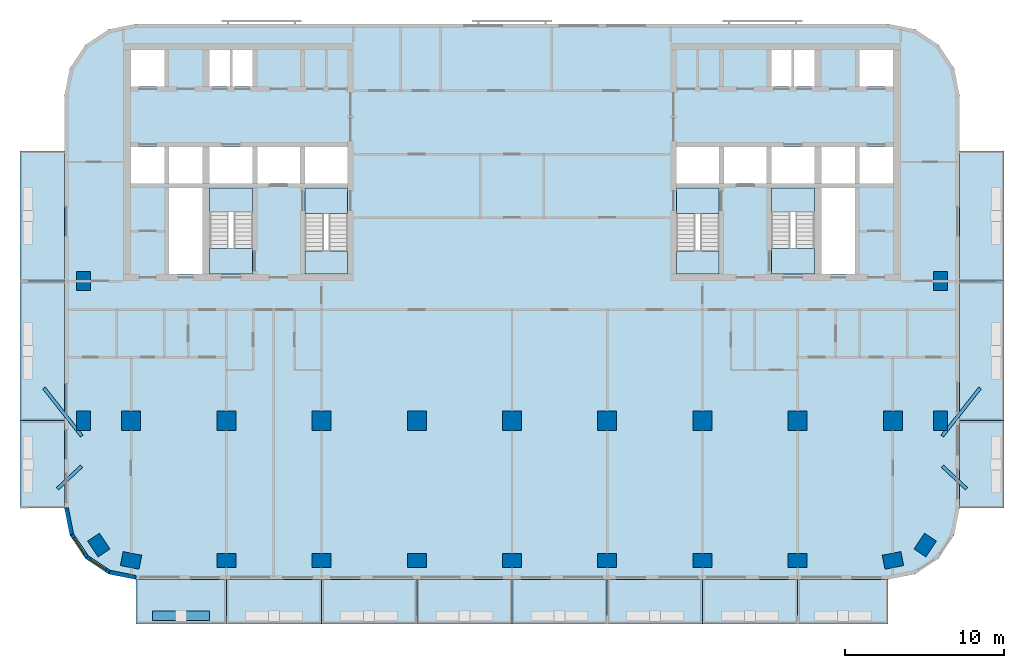
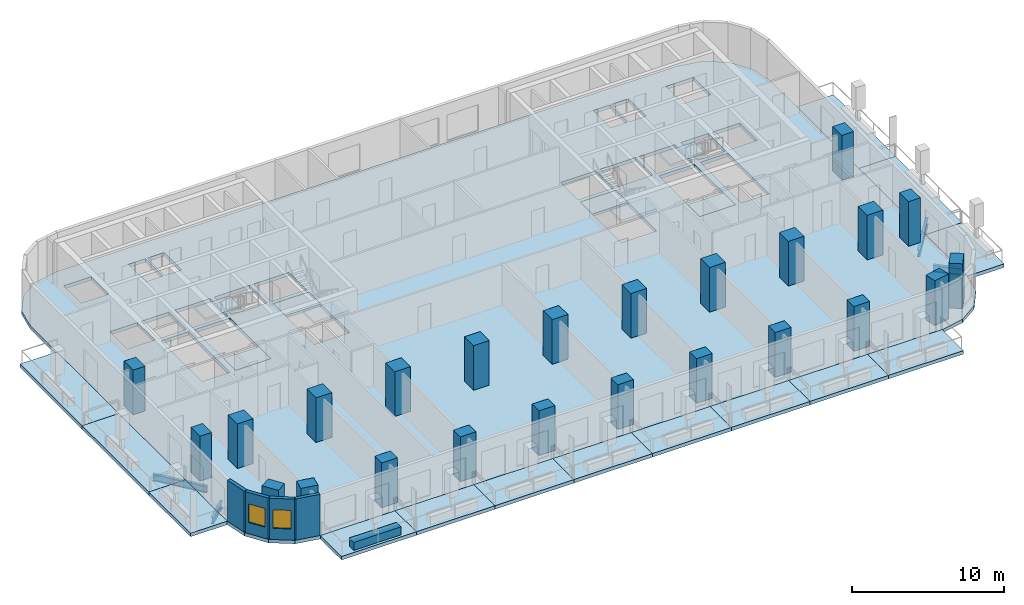
# One storey, part 1 of 12: 24 columns, 23 slabs, 5 walls, 4 beams, 2 windows, 2 openings, 4 elements without a shape of their own.
"""IFC4 building model written with IfcOpenShell, lengths in metres."""

import ifcopenshell
import ifcopenshell.guid

model = None  # the IFC model being written
_history = None  # IfcOwnerHistory: only IFC2X3 demands one
_inside = {}  # id of a spatial element -> (the spatial element, [elements in it])
_under = {}  # id of a project, library or spatial element -> (it, [spatial elements below it])
_declared = {}  # id of a project -> (the project, [libraries it declares])
_typed = {}  # id of a type object -> (the type object, [elements of that type])
_made_of = {}  # id of a material, layer set ... -> (it, [elements and type objects made of it])


def new_model(schema):
    """Start an empty IFC model of exactly this schema.

    Asked for "IFC4X3", IfcOpenShell would pick the latest addendum, in which some entities
    have other attributes; the version numbers below select the first issue.
    IFC2X3 requires an IfcOwnerHistory on every rooted entity: one is made here for all.
    """
    global model, _history
    if schema == "IFC4X3":
        model = ifcopenshell.file(schema_version=(4, 3, 0, 0))
    else:
        model = ifcopenshell.file(schema=schema)
    _inside.clear()
    _under.clear()
    _declared.clear()
    _typed.clear()
    _made_of.clear()
    _history = None
    if model.schema == "IFC2X3":
        org = make("IfcOrganization", Name="unknown")
        user = make(
            "IfcPersonAndOrganization",
            ThePerson=make("IfcPerson", FamilyName="unknown"),
            TheOrganization=org,
        )
        app = make(
            "IfcApplication",
            ApplicationDeveloper=org,
            Version="unknown",
            ApplicationFullName="unknown",
            ApplicationIdentifier="unknown",
        )
        _history = make(
            "IfcOwnerHistory",
            OwningUser=user,
            OwningApplication=app,
            ChangeAction="ADDED",
            CreationDate=0,
        )
    return model


def make(cls, **values):
    """One entity of the class cls with the attributes given. An attribute that is None is left unset."""
    return model.create_entity(
        cls, **{name: value for name, value in values.items() if value is not None}
    )


def rooted(cls, **values):
    """An entity with a GlobalId (a new one), such as an element, a storey or a relation."""
    return make(cls, GlobalId=ifcopenshell.guid.new(), OwnerHistory=_history, **values)


def si_unit(unit_type, name, prefix=None):
    """IfcSIUnit, for example si_unit("LENGTHUNIT", "METRE", prefix="MILLI")."""
    return make("IfcSIUnit", UnitType=unit_type, Prefix=prefix, Name=name)


def assignment(units):
    """IfcUnitAssignment: the units of a project."""
    return None if units is None else make("IfcUnitAssignment", Units=units)


def point(xyz):
    """IfcCartesianPoint."""
    return None if xyz is None else make("IfcCartesianPoint", Coordinates=xyz)


def direction(xyz):
    """IfcDirection."""
    return None if xyz is None else make("IfcDirection", DirectionRatios=xyz)


def frame(location, z_axis=None, x_axis=None):
    """IfcAxis2Placement3D, a coordinate frame: its origin and axes. An axis left out is left unset."""
    return make(
        "IfcAxis2Placement3D",
        Location=point(location),
        Axis=direction(z_axis),
        RefDirection=direction(x_axis),
    )


def frame_2d(location, x_axis=None):
    """IfcAxis2Placement2D, a coordinate frame in the plane: its origin and x axis."""
    return make(
        "IfcAxis2Placement2D", Location=point(location), RefDirection=direction(x_axis)
    )


def origin():
    """The frame at (0, 0, 0) with its axes left unset."""
    return frame((0.0, 0.0, 0.0))


def origin_2d():
    """The frame at (0, 0) in the plane with its x axis left unset."""
    return frame_2d((0.0, 0.0))


def place(relative_to, where):
    """IfcLocalPlacement: puts the frame where relative to a parent placement (None: the world)."""
    return make(
        "IfcLocalPlacement", PlacementRelTo=relative_to, RelativePlacement=where
    )


def context(
    kind, dimensions, precision=None, world=None, true_north=None, identifier=None
):
    """IfcGeometricRepresentationContext, for example the 3D "Model" context."""
    return make(
        "IfcGeometricRepresentationContext",
        ContextIdentifier=identifier,
        ContextType=kind,
        CoordinateSpaceDimension=dimensions,
        Precision=precision,
        WorldCoordinateSystem=world,
        TrueNorth=true_north,
    )


def subcontext(parent, identifier, kind, view, scale=None):
    """IfcGeometricRepresentationSubContext, for example "Body" below "Model"."""
    return make(
        "IfcGeometricRepresentationSubContext",
        ContextIdentifier=identifier,
        ContextType=kind,
        ParentContext=parent,
        TargetScale=scale,
        TargetView=view,
    )


def project(units=None, contexts=None):
    """IfcProject with its units and contexts."""
    return rooted(
        "IfcProject",
        Name="project",
        RepresentationContexts=contexts,
        UnitsInContext=assignment(units),
    )


def spatial(cls, under=None, at=None, **own):
    """A site, building, storey or space (cls), placed at a placement, below another one or the project."""
    s = rooted(cls, ObjectPlacement=at, **own)
    if under is not None:
        _under.setdefault(under.id(), (under, []))[1].append(s)
    return s


def polyline(points):
    """IfcPolyline through the points."""
    return make("IfcPolyline", Points=[point(p) for p in points])


def profile(cls, at=None, kind="AREA", **sizes):
    """A parametric profile (cls). Its sizes go by their IFC names, for example OverallWidth=200.0."""
    return make(cls, ProfileType=kind, Position=at, **sizes)


def rectangle(**sizes):
    """IfcRectangleProfileDef."""
    return profile("IfcRectangleProfileDef", **sizes)


def i_section(**sizes):
    """IfcIShapeProfileDef."""
    return profile("IfcIShapeProfileDef", **sizes)


def outline(outer, holes=None, kind="AREA"):
    """IfcArbitraryClosedProfileDef: a profile drawn as a closed curve; with holes, ...WithVoids."""
    if holes is None:
        return make("IfcArbitraryClosedProfileDef", ProfileType=kind, OuterCurve=outer)
    return make(
        "IfcArbitraryProfileDefWithVoids",
        ProfileType=kind,
        OuterCurve=outer,
        InnerCurves=holes,
    )


def extrude(swept, where, along, depth):
    """IfcExtrudedAreaSolid: the profile swept, set in the frame where, extruded along a direction by depth."""
    return make(
        "IfcExtrudedAreaSolid",
        SweptArea=swept,
        Position=where,
        ExtrudedDirection=direction(along),
        Depth=depth,
    )


def shape(context_of_items, identifier, shape_type, items):
    """IfcShapeRepresentation: the items that make up one representation, for example the "Body"."""
    return make(
        "IfcShapeRepresentation",
        ContextOfItems=context_of_items,
        RepresentationIdentifier=identifier,
        RepresentationType=shape_type,
        Items=items,
    )


def material(Name=None, Category=None):
    """IfcMaterial."""
    return make("IfcMaterial", Name=Name, Category=Category)


def layer(
    of_material, thickness, ventilated=None, Name=None, Category=None, Priority=None
):
    """IfcMaterialLayer: one layer of a wall or slab, of a material (None: an air gap)."""
    return make(
        "IfcMaterialLayer",
        Material=of_material,
        LayerThickness=thickness,
        IsVentilated=ventilated,
        Name=Name,
        Category=Category,
        Priority=Priority,
    )


def layer_set(layers, Name=None):
    """IfcMaterialLayerSet."""
    return make("IfcMaterialLayerSet", MaterialLayers=layers, LayerSetName=Name)


def material_profile(
    of_material, cross_section, Name=None, Category=None, Priority=None
):
    """IfcMaterialProfile: a cross section and its material."""
    return make(
        "IfcMaterialProfile",
        Name=Name,
        Material=of_material,
        Profile=cross_section,
        Priority=Priority,
        Category=Category,
    )


def profile_set(profiles, Name=None, composite=None):
    """IfcMaterialProfileSet."""
    return make(
        "IfcMaterialProfileSet",
        Name=Name,
        MaterialProfiles=profiles,
        CompositeProfile=composite,
    )


def made_of(thing, what):
    """Note that an element or type object is made of a material, layer set ...; save() writes the relation."""
    if what is not None:
        _made_of.setdefault(what.id(), (what, []))[1].append(thing)
    return thing


def type_object(cls, material=None, **own):
    """A type object (cls), such as IfcWallType, which elements share."""
    return made_of(rooted(cls, **own), material)


def element(
    cls,
    number,
    at=None,
    inside=None,
    cuts=None,
    type_object=None,
    material=None,
    context=None,
    identifier="Body",
    shape_type=None,
    held_by="IfcProductDefinitionShape",
    body=None,
    shapes=None,
    **own,
):
    """One element of the class cls, such as IfcWall. Its Tag is "e" and its number.

    at: its placement. inside: the storey or other place that contains it. cuts: it is an
    opening in that element (IfcRelVoidsElement). A single representation is given by context,
    identifier, shape_type and body (its items); several are given by shapes. held_by: the class
    of the entity that holds the representations. save() writes the other relations.
    """
    e = rooted(cls, Tag="e%d" % number, ObjectPlacement=at, **own)
    if body is not None:
        shapes = [shape(context, identifier, shape_type, body)]
    if shapes is not None:
        e.Representation = make(held_by, Representations=shapes)
    if inside is not None:
        _inside.setdefault(inside.id(), (inside, []))[1].append(e)
    if cuts is not None:
        rooted(
            "IfcRelVoidsElement", RelatingBuildingElement=cuts, RelatedOpeningElement=e
        )
    if type_object is not None:
        _typed.setdefault(type_object.id(), (type_object, []))[1].append(e)
    return made_of(e, material)


def fill(opening, filler):
    """IfcRelFillsElement: the door or window that sits in an opening."""
    return rooted(
        "IfcRelFillsElement",
        RelatingOpeningElement=opening,
        RelatedBuildingElement=filler,
    )


def aggregate(whole, parts):
    """IfcRelAggregates: a whole, such as a stair, and the parts it consists of."""
    return rooted("IfcRelAggregates", RelatingObject=whole, RelatedObjects=parts)


def save(model, path):
    """Write the relations noted so far, then the file.

    IfcRelAggregates (storeys below a building ...), IfcRelContainedInSpatialStructure (elements
    in a storey), IfcRelDefinesByType, IfcRelAssociatesMaterial and IfcRelDeclares: one each for
    every whole, place, type object, material and project.
    """
    for whole, parts in _under.values():
        aggregate(whole, parts)
    for where, things in _inside.values():
        rooted(
            "IfcRelContainedInSpatialStructure",
            RelatedElements=things,
            RelatingStructure=where,
        )
    for kind, things in _typed.values():
        rooted("IfcRelDefinesByType", RelatedObjects=things, RelatingType=kind)
    for what, things in _made_of.values():
        rooted("IfcRelAssociatesMaterial", RelatedObjects=things, RelatingMaterial=what)
    for by, libraries in _declared.values():
        rooted("IfcRelDeclares", RelatingContext=by, RelatedDefinitions=libraries)
    model.write(path)


model = new_model("IFC4")

# Units and contexts
model_context = context("Model", 3, precision=1e-05, world=origin(), true_north=direction((0.0, 1.0)))
body_context = subcontext(model_context, "Body", "Model", "MODEL_VIEW")
ifc_project = project(units=[si_unit("LENGTHUNIT", "METRE"), si_unit("AREAUNIT", "SQUARE_METRE"), si_unit("VOLUMEUNIT", "CUBIC_METRE"), si_unit("PLANEANGLEUNIT", "RADIAN"), si_unit("MASSUNIT", "GRAM", prefix="KILO")], contexts=[model_context])

# Site, building, storey
site_placement = place(None, origin())
site = spatial("IfcSite", under=ifc_project, at=site_placement, CompositionType="ELEMENT")
building_placement = place(site_placement, origin())
building = spatial("IfcBuilding", under=site, at=building_placement, Name="Torana Hotel and Residences", CompositionType="ELEMENT")
storey_placement = place(building_placement, frame((0.0, 0.0, 112.800048828125)))
storey = spatial("IfcBuildingStorey", under=building, at=storey_placement, Name="L28", CompositionType="ELEMENT", Elevation=112.800048828125)

# Columns
ifc_material_1 = material(Name="Concrete C70/85", Category="concrete")
ifc_material_profile_1 = material_profile(ifc_material_1, rectangle(XDim=1.199951171875, YDim=1.199951171875, at=origin_2d()), Name="RC 1200x1200")
ifc_profile_set_1 = profile_set([ifc_material_profile_1], Name="Concrete C70/85")
column_type_1 = type_object("IfcColumnType", Name="COLUMN RC 1200x1200 C70/85", PredefinedType="COLUMN", material=ifc_profile_set_1)
for number, where, z_axis, x_axis, name in (
    (1, (-24.0, -23.800048828125, -0.280029296875), (0.0, 0.0, 1.0), (1.0, 0.0, 0.0), "Column L28"),
    (2, (-18.0, -23.800048828125, -0.280029296875), (0.0, 0.0, 1.0), (1.0, 0.0, 0.0), "Column L28"),
    (3, (-12.0, -23.800048828125, -0.280029296875), (0.0, 0.0, 1.0), (1.0, 0.0, 0.0), "Column L28"),
    (4, (-6.0, -23.800048828125, -0.280029296875), (0.0, 0.0, 1.0), (1.0, 0.0, 0.0), "Column L28"),
    (5, (0.0, -23.800048828125, -0.280029296875), (0.0, 0.0, 1.0), (1.0, 0.0, 0.0), "Column L28"),
    (6, (6.0, -23.800048828125, -0.280029296875), (0.0, 0.0, 1.0), (1.0, 0.0, 0.0), "Column L28"),
    (7, (12.0, -23.800048828125, -0.280029296875), (0.0, 0.0, 1.0), (1.0, 0.0, 0.0), "Column L28"),
    (8, (18.0, -23.800048828125, -0.280029296875), (0.0, 0.0, 1.0), (1.0, 0.0, 0.0), "Column L28"),
    (9, (24.0, -23.800048828125, -0.280029296875), (0.0, 0.0, 1.0), (1.0, 0.0, 0.0), "Column L28"),
):
    element("IfcColumn", number, at=place(storey_placement, frame(where, z_axis=z_axis, x_axis=x_axis)), inside=storey, type_object=column_type_1, Name=name, PredefinedType="COLUMN", context=body_context, shape_type="SweptSolid", body=[
        extrude(rectangle(XDim=1.199951171875, YDim=1.199951171875, at=origin_2d()), origin(), (0.0, 0.0, 1.0), 3.8798828125),
    ])
ifc_material_2 = material(Name="Concrete C70/85", Category="concrete")
ifc_material_profile_2 = material_profile(ifc_material_2, rectangle(XDim=1.199951171875, YDim=0.89990234375, at=origin_2d()), Name="RC 1200x900")
ifc_profile_set_2 = profile_set([ifc_material_profile_2], Name="Concrete C70/85")
column_type_2 = type_object("IfcColumnType", Name="COLUMN RC 1200x900 C70/85", PredefinedType="COLUMN", material=ifc_profile_set_2)
for number, where, z_axis, x_axis, name in (
    (10, (-27.0, -23.800048828125, -0.280029296875), (0.0, 0.0, 1.0), (0.0, 1.0, 0.0), "Column L28"),
    (11, (-27.0, -15.0, -0.280029296875), (0.0, 0.0, 1.0), (0.0, 1.0, 0.0), "Column L28"),
    (12, (-26.032958984375, -31.633056640625, -0.280029296875), (0.0, 0.0, 1.0), (-0.555584744817, 0.831459915646, 0.0), "Column L28"),
    (13, (-24.0, -32.60009765625, -0.280029296875), (0.0, 0.0, 1.0), (-0.980792089743, 0.195056086032, 0.0), "Column L28"),
    (14, (-18.0, -32.60009765625, -0.280029296875), (0.0, 0.0, 1.0), (1.0, 0.0, 0.0), "Column L28"),
    (15, (-12.0, -32.60009765625, -0.280029296875), (0.0, 0.0, 1.0), (1.0, 0.0, 0.0), "Column L28"),
    (16, (-6.0, -32.60009765625, -0.280029296875), (0.0, 0.0, 1.0), (1.0, 0.0, 0.0), "Column L28"),
    (17, (0.0, -32.60009765625, -0.280029296875), (0.0, 0.0, 1.0), (1.0, 0.0, 0.0), "Column L28"),
    (18, (6.0, -32.60009765625, -0.280029296875), (0.0, 0.0, 1.0), (1.0, 0.0, 0.0), "Column L28"),
    (19, (12.0, -32.60009765625, -0.280029296875), (0.0, 0.0, 1.0), (1.0, 0.0, 0.0), "Column L28"),
    (20, (18.0, -32.60009765625, -0.280029296875), (0.0, 0.0, 1.0), (1.0, 0.0, 0.0), "Column L28"),
    (21, (24.0, -32.60009765625, -0.280029296875), (0.0, 0.0, 1.0), (0.980792089743, 0.195056086032, 0.0), "Column L28"),
    (22, (26.032958984375, -31.633056640625, -0.280029296875), (0.0, 0.0, 1.0), (0.555584744817, 0.831459915646, 0.0), "Column L28"),
    (23, (27.0, -23.800048828125, -0.280029296875), (0.0, 0.0, 1.0), (0.0, 1.0, 0.0), "Column L28"),
    (24, (27.0, -15.0, -0.280029296875), (0.0, 0.0, 1.0), (0.0, 1.0, 0.0), "Column L28"),
):
    element("IfcColumn", number, at=place(storey_placement, frame(where, z_axis=z_axis, x_axis=x_axis)), inside=storey, type_object=column_type_2, Name=name, PredefinedType="COLUMN", context=body_context, shape_type="SweptSolid", body=[
        extrude(rectangle(XDim=1.199951171875, YDim=0.89990234375, at=origin_2d()), origin(), (0.0, 0.0, 1.0), 3.8798828125),
    ])

# Beams
ifc_material_3 = material(Name="Steel S355", Category="steel")
ifc_material_profile_3 = material_profile(ifc_material_3, i_section(OverallWidth=0.2119140625, OverallDepth=0.54443359375, WebThickness=0.0126953125, FlangeThickness=0.021240234375, FilletRadius=0.0126953125, at=origin_2d()), Name="533x210x122 UB")
ifc_profile_set_3 = profile_set([ifc_material_profile_3], Name="Steel S355")
beam_type = type_object("IfcBeamType", Name="BALCONY TIE BEAM 533x210x122 UB", PredefinedType="BEAM", material=ifc_profile_set_3)
beam_1_placement = place(storey_placement, frame((-28.635986328125, -28.083740234375, -0.55224609375), z_axis=(0.729533530542, 0.683945047365, 0.0), x_axis=(-0.683945047365, 0.729533530542, 0.0)))
element("IfcBeam", 25, at=beam_1_placement, inside=storey, type_object=beam_type, Name="Balcony tie beam", PredefinedType="BEAM", context=body_context, shape_type="SweptSolid", body=[
    extrude(i_section(OverallWidth=0.2119140625, OverallDepth=0.54443359375, WebThickness=0.0126953125, FlangeThickness=0.021240234375, FilletRadius=0.0126953125, at=origin_2d()), origin(), (0.0, 0.0, 1.0), 2.072509765625),
])
beam_2_placement = place(storey_placement, frame((-29.494873046875, -21.7333984375, -0.55224609375), z_axis=(0.618848584026, -0.785510299136, 0.0), x_axis=(0.785510299136, 0.618848584026, 0.0)))
element("IfcBeam", 26, at=beam_2_placement, inside=storey, type_object=beam_type, Name="Balcony tie beam", PredefinedType="BEAM", context=body_context, shape_type="SweptSolid", body=[
    extrude(i_section(OverallWidth=0.2119140625, OverallDepth=0.54443359375, WebThickness=0.0126953125, FlangeThickness=0.021240234375, FilletRadius=0.0126953125, at=origin_2d()), origin(), (0.0, 0.0, 1.0), 3.861328125),
])
beam_3_placement = place(storey_placement, frame((28.635986328125, -28.083740234375, -0.55224609375), z_axis=(-0.729533530542, 0.683945047365, 0.0), x_axis=(-0.683945047365, -0.729533530542, 0.0)))
element("IfcBeam", 27, at=beam_3_placement, inside=storey, type_object=beam_type, Name="Balcony tie beam", PredefinedType="BEAM", context=body_context, shape_type="SweptSolid", body=[
    extrude(i_section(OverallWidth=0.2119140625, OverallDepth=0.54443359375, WebThickness=0.0126953125, FlangeThickness=0.021240234375, FilletRadius=0.0126953125, at=origin_2d()), origin(), (0.0, 0.0, 1.0), 2.072509765625),
])
beam_4_placement = place(storey_placement, frame((29.494873046875, -21.7333984375, -0.55224609375), z_axis=(-0.618848584026, -0.785510299136, 0.0), x_axis=(0.785510299136, -0.618848584026, 0.0)))
element("IfcBeam", 28, at=beam_4_placement, inside=storey, type_object=beam_type, Name="Balcony tie beam", PredefinedType="BEAM", context=body_context, shape_type="SweptSolid", body=[
    extrude(i_section(OverallWidth=0.2119140625, OverallDepth=0.54443359375, WebThickness=0.0126953125, FlangeThickness=0.021240234375, FilletRadius=0.0126953125, at=origin_2d()), origin(), (0.0, 0.0, 1.0), 3.861328125),
])

# Slabs
ifc_material_4 = material(Name="Concrete C40/50", Category="concrete")
ifc_layer_1 = layer(ifc_material_4, 0.280029296875)
ifc_layer_set_1 = layer_set([ifc_layer_1], Name="BAL1 BALCONY SLAB 280")
slab_type_1 = type_object("IfcSlabType", Name="BAL1 BALCONY SLAB 280", PredefinedType="USERDEFINED", material=ifc_layer_set_1)
slab_1_placement = place(storey_placement, frame((0.0, 0.0, -0.280029296875)))
element("IfcSlab", 29, at=slab_1_placement, inside=storey, type_object=slab_type_1, Name="Balcony 01", ObjectType="BALCONY", PredefinedType="USERDEFINED", context=body_context, shape_type="SweptSolid", body=[
    extrude(outline(polyline([(-23.699951171875, -36.60009765625), (-18.0, -36.60009765625), (-18.0, -33.800048828125), (-23.699951171875, -33.800048828125), (-23.699951171875, -36.60009765625)])), origin(), (0.0, 0.0, 1.0), 0.280029296875),
])
slab_2_placement = place(storey_placement, frame((0.0, 0.0, -0.280029296875)))
element("IfcSlab", 30, at=slab_2_placement, inside=storey, type_object=slab_type_1, Name="Balcony 02", ObjectType="BALCONY", PredefinedType="USERDEFINED", context=body_context, shape_type="SweptSolid", body=[
    extrude(outline(polyline([(-18.0, -36.60009765625), (-12.0, -36.60009765625), (-12.0, -33.800048828125), (-18.0, -33.800048828125), (-18.0, -36.60009765625)])), origin(), (0.0, 0.0, 1.0), 0.280029296875),
])
slab_3_placement = place(storey_placement, frame((0.0, 0.0, -0.280029296875)))
element("IfcSlab", 31, at=slab_3_placement, inside=storey, type_object=slab_type_1, Name="Balcony 03", ObjectType="BALCONY", PredefinedType="USERDEFINED", context=body_context, shape_type="SweptSolid", body=[
    extrude(outline(polyline([(-12.0, -36.60009765625), (-6.0, -36.60009765625), (-6.0, -33.800048828125), (-12.0, -33.800048828125), (-12.0, -36.60009765625)])), origin(), (0.0, 0.0, 1.0), 0.280029296875),
])
slab_4_placement = place(storey_placement, frame((0.0, 0.0, -0.280029296875)))
element("IfcSlab", 32, at=slab_4_placement, inside=storey, type_object=slab_type_1, Name="Balcony 04", ObjectType="BALCONY", PredefinedType="USERDEFINED", context=body_context, shape_type="SweptSolid", body=[
    extrude(outline(polyline([(-6.0, -36.60009765625), (0.0, -36.60009765625), (0.0, -33.800048828125), (-6.0, -33.800048828125), (-6.0, -36.60009765625)])), origin(), (0.0, 0.0, 1.0), 0.280029296875),
])
slab_5_placement = place(storey_placement, frame((0.0, 0.0, -0.280029296875)))
element("IfcSlab", 33, at=slab_5_placement, inside=storey, type_object=slab_type_1, Name="Balcony 05", ObjectType="BALCONY", PredefinedType="USERDEFINED", context=body_context, shape_type="SweptSolid", body=[
    extrude(outline(polyline([(0.0, -36.60009765625), (6.0, -36.60009765625), (6.0, -33.800048828125), (0.0, -33.800048828125), (0.0, -36.60009765625)])), origin(), (0.0, 0.0, 1.0), 0.280029296875),
])
slab_6_placement = place(storey_placement, frame((0.0, 0.0, -0.280029296875)))
element("IfcSlab", 34, at=slab_6_placement, inside=storey, type_object=slab_type_1, Name="Balcony 06", ObjectType="BALCONY", PredefinedType="USERDEFINED", context=body_context, shape_type="SweptSolid", body=[
    extrude(outline(polyline([(6.0, -36.60009765625), (12.0, -36.60009765625), (12.0, -33.800048828125), (6.0, -33.800048828125), (6.0, -36.60009765625)])), origin(), (0.0, 0.0, 1.0), 0.280029296875),
])
slab_7_placement = place(storey_placement, frame((0.0, 0.0, -0.280029296875)))
element("IfcSlab", 35, at=slab_7_placement, inside=storey, type_object=slab_type_1, Name="Balcony 07", ObjectType="BALCONY", PredefinedType="USERDEFINED", context=body_context, shape_type="SweptSolid", body=[
    extrude(outline(polyline([(12.0, -36.60009765625), (18.0, -36.60009765625), (18.0, -33.800048828125), (12.0, -33.800048828125), (12.0, -36.60009765625)])), origin(), (0.0, 0.0, 1.0), 0.280029296875),
])
slab_8_placement = place(storey_placement, frame((0.0, 0.0, -0.280029296875)))
element("IfcSlab", 36, at=slab_8_placement, inside=storey, type_object=slab_type_1, Name="Balcony 08", ObjectType="BALCONY", PredefinedType="USERDEFINED", context=body_context, shape_type="SweptSolid", body=[
    extrude(outline(polyline([(18.0, -36.60009765625), (23.699951171875, -36.60009765625), (23.699951171875, -33.800048828125), (18.0, -33.800048828125), (18.0, -36.60009765625)])), origin(), (0.0, 0.0, 1.0), 0.280029296875),
])
slab_9_placement = place(storey_placement, frame((0.0, 0.0, -0.280029296875)))
element("IfcSlab", 37, at=slab_9_placement, inside=storey, type_object=slab_type_1, Name="Balcony 09", ObjectType="BALCONY", PredefinedType="USERDEFINED", context=body_context, shape_type="SweptSolid", body=[
    extrude(outline(polyline([(-31.0, -29.300048828125), (-28.199951171875, -29.300048828125), (-28.199951171875, -23.800048828125), (-31.0, -23.800048828125), (-31.0, -29.300048828125)])), origin(), (0.0, 0.0, 1.0), 0.280029296875),
])
slab_10_placement = place(storey_placement, frame((0.0, 0.0, -0.280029296875)))
element("IfcSlab", 38, at=slab_10_placement, inside=storey, type_object=slab_type_1, Name="Balcony 10", ObjectType="BALCONY", PredefinedType="USERDEFINED", context=body_context, shape_type="SweptSolid", body=[
    extrude(outline(polyline([(-31.0, -23.800048828125), (-28.199951171875, -23.800048828125), (-28.199951171875, -15.0), (-31.0, -15.0), (-31.0, -23.800048828125)])), origin(), (0.0, 0.0, 1.0), 0.280029296875),
])
slab_11_placement = place(storey_placement, frame((0.0, 0.0, -0.280029296875)))
element("IfcSlab", 39, at=slab_11_placement, inside=storey, type_object=slab_type_1, Name="Balcony 11", ObjectType="BALCONY", PredefinedType="USERDEFINED", context=body_context, shape_type="SweptSolid", body=[
    extrude(outline(polyline([(-31.0, -15.0), (-28.199951171875, -15.0), (-28.199951171875, -6.800048828125), (-31.0, -6.800048828125), (-31.0, -15.0)])), origin(), (0.0, 0.0, 1.0), 0.280029296875),
])
slab_12_placement = place(storey_placement, frame((0.0, 0.0, -0.280029296875)))
element("IfcSlab", 40, at=slab_12_placement, inside=storey, type_object=slab_type_1, Name="Balcony 12", ObjectType="BALCONY", PredefinedType="USERDEFINED", context=body_context, shape_type="SweptSolid", body=[
    extrude(outline(polyline([(28.199951171875, -29.300048828125), (31.0, -29.300048828125), (31.0, -23.800048828125), (28.199951171875, -23.800048828125), (28.199951171875, -29.300048828125)])), origin(), (0.0, 0.0, 1.0), 0.280029296875),
])
slab_13_placement = place(storey_placement, frame((0.0, 0.0, -0.280029296875)))
element("IfcSlab", 41, at=slab_13_placement, inside=storey, type_object=slab_type_1, Name="Balcony 13", ObjectType="BALCONY", PredefinedType="USERDEFINED", context=body_context, shape_type="SweptSolid", body=[
    extrude(outline(polyline([(28.199951171875, -23.800048828125), (31.0, -23.800048828125), (31.0, -15.0), (28.199951171875, -15.0), (28.199951171875, -23.800048828125)])), origin(), (0.0, 0.0, 1.0), 0.280029296875),
])
slab_14_placement = place(storey_placement, frame((0.0, 0.0, -0.280029296875)))
element("IfcSlab", 42, at=slab_14_placement, inside=storey, type_object=slab_type_1, Name="Balcony 14", ObjectType="BALCONY", PredefinedType="USERDEFINED", context=body_context, shape_type="SweptSolid", body=[
    extrude(outline(polyline([(28.199951171875, -15.0), (31.0, -15.0), (31.0, -6.800048828125), (28.199951171875, -6.800048828125), (28.199951171875, -15.0)])), origin(), (0.0, 0.0, 1.0), 0.280029296875),
])
ifc_material_5 = material(Name="Concrete C40/50", Category="concrete")
ifc_layer_2 = layer(ifc_material_5, 0.280029296875)
ifc_layer_set_2 = layer_set([ifc_layer_2], Name="FLOOR SLAB PT 280")
slab_type_2 = type_object("IfcSlabType", Name="FLOOR SLAB PT 280", PredefinedType="FLOOR", material=ifc_layer_set_2)
slab_15_placement = place(storey_placement, frame((0.0, 0.0, -0.280029296875)))
element("IfcSlab", 43, at=slab_15_placement, inside=storey, type_object=slab_type_2, Name="Floor slab", PredefinedType="FLOOR", context=body_context, shape_type="SweptSolid", body=[
    extrude(outline(polyline([(28.199951171875, -3.300048828125), (27.857421875, -1.577880859375), (26.882080078125, -0.117919921875), (25.422119140625, 0.857421875), (23.699951171875, 1.199951171875), (-23.699951171875, 1.199951171875), (-25.422119140625, 0.857421875), (-26.882080078125, -0.117919921875), (-27.857421875, -1.577880859375), (-28.199951171875, -3.300048828125), (-28.199951171875, -29.300048828125), (-27.857421875, -31.022216796875), (-26.882080078125, -32.48193359375), (-25.422119140625, -33.45751953125), (-23.699951171875, -33.800048828125), (23.699951171875, -33.800048828125), (25.422119140625, -33.45751953125), (26.882080078125, -32.48193359375), (27.857421875, -31.022216796875), (28.199951171875, -29.300048828125), (28.199951171875, -3.300048828125)]), holes=[polyline([(-13.050048828125, -14.550048828125), (-10.35009765625, -14.550048828125), (-10.35009765625, -9.14990234375), (-13.050048828125, -9.14990234375), (-13.050048828125, -14.550048828125)]), polyline([(-19.050048828125, -14.550048828125), (-16.35009765625, -14.550048828125), (-16.35009765625, -9.14990234375), (-19.050048828125, -9.14990234375), (-19.050048828125, -14.550048828125)]), polyline([(-17.625, -2.75), (-16.35009765625, -2.75), (-16.35009765625, -0.449951171875), (-17.625, -0.449951171875), (-17.625, -2.75)]), polyline([(-19.050048828125, -2.75), (-17.77490234375, -2.75), (-17.77490234375, -0.449951171875), (-19.050048828125, -0.449951171875), (-19.050048828125, -2.75)]), polyline([(-21.60009765625, -8.85009765625), (-19.5, -8.85009765625), (-19.5, -6.550048828125), (-21.60009765625, -6.550048828125), (-21.60009765625, -8.85009765625)]), polyline([(-24.0, -2.75), (-21.89990234375, -2.75), (-21.89990234375, -0.449951171875), (-24.0, -0.449951171875), (-24.0, -2.75)]), polyline([(-24.0, -8.85009765625), (-21.89990234375, -8.85009765625), (-21.89990234375, -6.550048828125), (-24.0, -6.550048828125), (-24.0, -8.85009765625)]), polyline([(-13.050048828125, -8.85009765625), (-10.35009765625, -8.85009765625), (-10.35009765625, -6.550048828125), (-13.050048828125, -6.550048828125), (-13.050048828125, -8.85009765625)]), polyline([(-16.050048828125, -8.85009765625), (-13.35009765625, -8.85009765625), (-13.35009765625, -6.550048828125), (-16.050048828125, -6.550048828125), (-16.050048828125, -8.85009765625)]), polyline([(-19.050048828125, -8.85009765625), (-16.35009765625, -8.85009765625), (-16.35009765625, -6.550048828125), (-19.050048828125, -6.550048828125), (-19.050048828125, -8.85009765625)]), polyline([(-21.60009765625, -14.550048828125), (-19.5, -14.550048828125), (-19.5, -9.14990234375), (-21.60009765625, -9.14990234375), (-21.60009765625, -14.550048828125)]), polyline([(10.35009765625, -14.550048828125), (13.050048828125, -14.550048828125), (13.050048828125, -9.14990234375), (10.35009765625, -9.14990234375), (10.35009765625, -14.550048828125)]), polyline([(16.35009765625, -14.550048828125), (19.050048828125, -14.550048828125), (19.050048828125, -9.14990234375), (16.35009765625, -9.14990234375), (16.35009765625, -14.550048828125)]), polyline([(16.35009765625, -2.75), (17.625, -2.75), (17.625, -0.449951171875), (16.35009765625, -0.449951171875), (16.35009765625, -2.75)]), polyline([(17.77490234375, -2.75), (19.050048828125, -2.75), (19.050048828125, -0.449951171875), (17.77490234375, -0.449951171875), (17.77490234375, -2.75)]), polyline([(19.5, -8.85009765625), (21.60009765625, -8.85009765625), (21.60009765625, -6.550048828125), (19.5, -6.550048828125), (19.5, -8.85009765625)]), polyline([(21.89990234375, -2.75), (24.0, -2.75), (24.0, -0.449951171875), (21.89990234375, -0.449951171875), (21.89990234375, -2.75)]), polyline([(21.89990234375, -8.85009765625), (24.0, -8.85009765625), (24.0, -6.550048828125), (21.89990234375, -6.550048828125), (21.89990234375, -8.85009765625)]), polyline([(10.35009765625, -8.85009765625), (13.050048828125, -8.85009765625), (13.050048828125, -6.550048828125), (10.35009765625, -6.550048828125), (10.35009765625, -8.85009765625)]), polyline([(13.35009765625, -8.85009765625), (16.050048828125, -8.85009765625), (16.050048828125, -6.550048828125), (13.35009765625, -6.550048828125), (13.35009765625, -8.85009765625)]), polyline([(16.35009765625, -8.85009765625), (19.050048828125, -8.85009765625), (19.050048828125, -6.550048828125), (16.35009765625, -6.550048828125), (16.35009765625, -8.85009765625)]), polyline([(19.5, -14.550048828125), (21.60009765625, -14.550048828125), (21.60009765625, -9.14990234375), (19.5, -9.14990234375), (19.5, -14.550048828125)])]), origin(), (0.0, 0.0, 1.0), 0.280029296875),
])

# Stair, slabs
ifc_material_6 = material(Name="Concrete C40/50 precast", Category="concrete")
stair_type_1 = type_object("IfcStairType", Name="STAIR ST1 HALF TURN 1200", PredefinedType="HALF_TURN_STAIR", material=ifc_material_6)
stair_1_placement = place(storey_placement, origin())
stair_1 = element("IfcStair", 44, at=stair_1_placement, inside=storey, type_object=stair_type_1, Name="Stair ST1 L28", PredefinedType="HALF_TURN_STAIR")
ifc_material_7 = material(Name="Concrete C40/50 precast", Category="concrete")
ifc_layer_3 = layer(ifc_material_7, 0.199951171875)
ifc_layer_set_3 = layer_set([ifc_layer_3], Name="STAIR LANDING 200")
slab_type_3 = type_object("IfcSlabType", Name="STAIR LANDING 200", PredefinedType="LANDING", material=ifc_layer_set_3)
slab_16_placement = place(storey_placement, frame((0.0, 0.0, 1.599853515625)))
slab_16 = element("IfcSlab", 45, at=slab_16_placement, type_object=slab_type_3, Name="ST1 landing 1", PredefinedType="LANDING", context=body_context, shape_type="SweptSolid", body=[
    extrude(outline(polyline([(-13.050048828125, -14.550048828125), (-10.35009765625, -14.550048828125), (-10.35009765625, -13.090087890625), (-13.050048828125, -13.090087890625), (-13.050048828125, -14.550048828125)])), origin(), (0.0, 0.0, 1.0), 0.2001953125),
])
slab_17_placement = place(storey_placement, frame((0.0, 0.0, -0.199951171875)))
slab_17 = element("IfcSlab", 46, at=slab_17_placement, type_object=slab_type_3, Name="ST1 landing 2", PredefinedType="LANDING", context=body_context, shape_type="SweptSolid", body=[
    extrude(outline(polyline([(-13.050048828125, -10.75), (-10.35009765625, -10.75), (-10.35009765625, -9.14990234375), (-13.050048828125, -9.14990234375), (-13.050048828125, -10.75)])), origin(), (0.0, 0.0, 1.0), 0.199951171875),
])
aggregate(stair_1, [slab_16, slab_17])

ifc_material_8 = material(Name="Concrete C40/50 precast", Category="concrete")
stair_type_2 = type_object("IfcStairType", Name="STAIR ST2 HALF TURN 1200", PredefinedType="HALF_TURN_STAIR", material=ifc_material_8)
stair_2_placement = place(storey_placement, origin())
stair_2 = element("IfcStair", 47, at=stair_2_placement, inside=storey, type_object=stair_type_2, Name="Stair ST2 L28", PredefinedType="HALF_TURN_STAIR")
slab_18_placement = place(storey_placement, frame((0.0, 0.0, 1.599853515625)))
slab_18 = element("IfcSlab", 48, at=slab_18_placement, type_object=slab_type_3, Name="ST2 landing 1", PredefinedType="LANDING", context=body_context, shape_type="SweptSolid", body=[
    extrude(outline(polyline([(-19.050048828125, -10.610107421875), (-16.35009765625, -10.610107421875), (-16.35009765625, -9.14990234375), (-19.050048828125, -9.14990234375), (-19.050048828125, -10.610107421875)])), origin(), (0.0, 0.0, 1.0), 0.2001953125),
])
slab_19_placement = place(storey_placement, frame((0.0, 0.0, -0.199951171875)))
slab_19 = element("IfcSlab", 49, at=slab_19_placement, type_object=slab_type_3, Name="ST2 landing 2", PredefinedType="LANDING", context=body_context, shape_type="SweptSolid", body=[
    extrude(outline(polyline([(-19.050048828125, -14.550048828125), (-16.35009765625, -14.550048828125), (-16.35009765625, -12.949951171875), (-19.050048828125, -12.949951171875), (-19.050048828125, -14.550048828125)])), origin(), (0.0, 0.0, 1.0), 0.199951171875),
])
aggregate(stair_2, [slab_18, slab_19])

ifc_material_9 = material(Name="Concrete C40/50 precast", Category="concrete")
stair_type_3 = type_object("IfcStairType", Name="STAIR ST3 HALF TURN 1200", PredefinedType="HALF_TURN_STAIR", material=ifc_material_9)
stair_3_placement = place(storey_placement, origin())
stair_3 = element("IfcStair", 50, at=stair_3_placement, inside=storey, type_object=stair_type_3, Name="Stair ST3 L28", PredefinedType="HALF_TURN_STAIR")
slab_20_placement = place(storey_placement, frame((0.0, 0.0, 1.599853515625)))
slab_20 = element("IfcSlab", 51, at=slab_20_placement, type_object=slab_type_3, Name="ST3 landing 1", PredefinedType="LANDING", context=body_context, shape_type="SweptSolid", body=[
    extrude(outline(polyline([(10.35009765625, -14.550048828125), (13.050048828125, -14.550048828125), (13.050048828125, -13.090087890625), (10.35009765625, -13.090087890625), (10.35009765625, -14.550048828125)])), origin(), (0.0, 0.0, 1.0), 0.2001953125),
])
slab_21_placement = place(storey_placement, frame((0.0, 0.0, -0.199951171875)))
slab_21 = element("IfcSlab", 52, at=slab_21_placement, type_object=slab_type_3, Name="ST3 landing 2", PredefinedType="LANDING", context=body_context, shape_type="SweptSolid", body=[
    extrude(outline(polyline([(10.35009765625, -10.75), (13.050048828125, -10.75), (13.050048828125, -9.14990234375), (10.35009765625, -9.14990234375), (10.35009765625, -10.75)])), origin(), (0.0, 0.0, 1.0), 0.199951171875),
])
aggregate(stair_3, [slab_20, slab_21])

ifc_material_10 = material(Name="Concrete C40/50 precast", Category="concrete")
stair_type_4 = type_object("IfcStairType", Name="STAIR ST4 HALF TURN 1200", PredefinedType="HALF_TURN_STAIR", material=ifc_material_10)
stair_4_placement = place(storey_placement, origin())
stair_4 = element("IfcStair", 53, at=stair_4_placement, inside=storey, type_object=stair_type_4, Name="Stair ST4 L28", PredefinedType="HALF_TURN_STAIR")
slab_22_placement = place(storey_placement, frame((0.0, 0.0, 1.599853515625)))
slab_22 = element("IfcSlab", 54, at=slab_22_placement, type_object=slab_type_3, Name="ST4 landing 1", PredefinedType="LANDING", context=body_context, shape_type="SweptSolid", body=[
    extrude(outline(polyline([(16.35009765625, -10.610107421875), (19.050048828125, -10.610107421875), (19.050048828125, -9.14990234375), (16.35009765625, -9.14990234375), (16.35009765625, -10.610107421875)])), origin(), (0.0, 0.0, 1.0), 0.2001953125),
])
slab_23_placement = place(storey_placement, frame((0.0, 0.0, -0.199951171875)))
slab_23 = element("IfcSlab", 55, at=slab_23_placement, type_object=slab_type_3, Name="ST4 landing 2", PredefinedType="LANDING", context=body_context, shape_type="SweptSolid", body=[
    extrude(outline(polyline([(16.35009765625, -14.550048828125), (19.050048828125, -14.550048828125), (19.050048828125, -12.949951171875), (16.35009765625, -12.949951171875), (16.35009765625, -14.550048828125)])), origin(), (0.0, 0.0, 1.0), 0.199951171875),
])
aggregate(stair_4, [slab_22, slab_23])

# Wall
ifc_material_11 = material(Name="Black aluminium composite panel", Category="aluminium")
ifc_layer_4 = layer(ifc_material_11, 0.00390625, Name="Cladding", Category="cladding")
ifc_material_12 = material(Name="Ventilated air cavity")
ifc_layer_5 = layer(ifc_material_12, 0.0400390625, Name="Ventilated cavity", Category="cavity")
ifc_material_13 = material(Name="Mineral wool insulation")
ifc_layer_6 = layer(ifc_material_13, 0.090087890625, Name="Insulation", Category="insulation")
ifc_material_14 = material(Name="Steel S280GD", Category="steel")
ifc_layer_7 = layer(ifc_material_14, 0.092041015625, Name="Steel stud frame", Category="structure")
ifc_material_15 = material(Name="Fire rated plasterboard")
ifc_layer_8 = layer(ifc_material_15, 0.011962890625, Name="Inner board", Category="finish")
ifc_layer_9 = layer(ifc_material_15, 0.011962890625, Name="Second board", Category="finish")
ifc_layer_set_4 = layer_set([ifc_layer_4, ifc_layer_5, ifc_layer_6, ifc_layer_7, ifc_layer_8, ifc_layer_9], Name="EW1 EXTERNAL WALL BLACK METAL CLAD 250")
wall_type_1 = type_object("IfcWallType", Name="EW1 EXTERNAL WALL BLACK METAL CLAD 250", PredefinedType="SOLIDWALL", material=ifc_layer_set_4)
wall_1_placement = place(storey_placement, frame((-28.072509765625, -29.2998046875, 0.0), z_axis=(0.0, 0.0, 1.0), x_axis=(0.194999110559, -0.980803419081, 0.0)))
element("IfcWall", 56, at=wall_1_placement, inside=storey, type_object=wall_type_1, Name="External wall L28 e0.10", PredefinedType="SOLIDWALL", context=body_context, shape_type="SweptSolid", body=[
    extrude(rectangle(XDim=1.681396484375, YDim=0.25, at=frame_2d((0.8408203125, 0.0))), origin(), (0.0, 0.0, 1.0), 3.320068359375),
])

# Wall, opening, window
wall_2_placement = place(storey_placement, frame((-27.725830078125, -30.993896484375, 0.0), z_axis=(0.0, 0.0, 1.0), x_axis=(0.55555029066, -0.831482937015, 0.0)))
wall_2 = element("IfcWall", 57, at=wall_2_placement, inside=storey, type_object=wall_type_1, Name="External wall L28 e0.11", PredefinedType="SOLIDWALL", context=body_context, shape_type="SweptSolid", body=[
    extrude(rectangle(XDim=1.65625, YDim=0.25, at=frame_2d((0.828125, 0.0))), origin(), (0.0, 0.0, 1.0), 3.320068359375),
])
opening_1_placement = place(wall_2_placement, frame((0.228271484375, 0.0, 0.89990234375)))
opening_1 = element("IfcOpeningElement", 58, at=opening_1_placement, cuts=wall_2, Name="Opening W5", PredefinedType="OPENING", context=body_context, shape_type="SweptSolid", body=[
    extrude(rectangle(XDim=1.199951171875, YDim=1.5, at=frame_2d((0.60009765625, 0.75))), frame((0.0, 0.135009765625, 0.0), z_axis=(0.0, -1.0, 0.0), x_axis=(1.0, 0.0, 0.0)), (0.0, 0.0, 1.0), 0.27001953125),
])
ifc_material_16 = material(Name="Dark glass in black aluminium frame", Category="aluminium")
window_type = type_object("IfcWindowType", Name="W5 CORNER FACET WINDOW 1200x1500", PartitioningType="SINGLE_PANEL", PredefinedType="WINDOW", material=ifc_material_16)
window_1_placement = place(opening_1_placement, origin())
window_1 = element("IfcWindow", 59, at=window_1_placement, inside=storey, type_object=window_type, Name="Window L28 e0.11", OverallHeight=1.5, OverallWidth=1.199951171875, PartitioningType="SINGLE_PANEL", PredefinedType="WINDOW", context=body_context, shape_type="SweptSolid", body=[
    extrude(rectangle(XDim=1.199951171875, YDim=1.5, at=frame_2d((0.60009765625, 0.75))), frame((0.0, 0.030029296875, 0.0), z_axis=(0.0, -1.0, 0.0), x_axis=(1.0, 0.0, 0.0)), (0.0, 0.0, 1.0), 0.06005859375),
])
fill(opening_1, window_1)

wall_3_placement = place(storey_placement, frame((-26.771240234375, -32.40576171875, 0.0), z_axis=(0.0, 0.0, 1.0), x_axis=(0.831482937015, -0.55555029066, 0.0)))
wall_3 = element("IfcWall", 60, at=wall_3_placement, inside=storey, type_object=wall_type_1, Name="External wall L28 e0.12", PredefinedType="SOLIDWALL", context=body_context, shape_type="SweptSolid", body=[
    extrude(rectangle(XDim=1.65625, YDim=0.25, at=frame_2d((0.828125, 0.0))), origin(), (0.0, 0.0, 1.0), 3.320068359375),
])
opening_2_placement = place(wall_3_placement, frame((0.228271484375, 0.0, 0.89990234375)))
opening_2 = element("IfcOpeningElement", 61, at=opening_2_placement, cuts=wall_3, Name="Opening W5", PredefinedType="OPENING", context=body_context, shape_type="SweptSolid", body=[
    extrude(rectangle(XDim=1.199951171875, YDim=1.5, at=frame_2d((0.60009765625, 0.75))), frame((0.0, 0.135009765625, 0.0), z_axis=(0.0, -1.0, 0.0), x_axis=(1.0, 0.0, 0.0)), (0.0, 0.0, 1.0), 0.27001953125),
])
window_2_placement = place(opening_2_placement, origin())
window_2 = element("IfcWindow", 62, at=window_2_placement, inside=storey, type_object=window_type, Name="Window L28 e0.12", OverallHeight=1.5, OverallWidth=1.199951171875, PartitioningType="SINGLE_PANEL", PredefinedType="WINDOW", context=body_context, shape_type="SweptSolid", body=[
    extrude(rectangle(XDim=1.199951171875, YDim=1.5, at=frame_2d((0.60009765625, 0.75))), frame((0.0, 0.030029296875, 0.0), z_axis=(0.0, -1.0, 0.0), x_axis=(1.0, 0.0, 0.0)), (0.0, 0.0, 1.0), 0.06005859375),
])
fill(opening_2, window_2)

# Walls
wall_4_placement = place(storey_placement, frame((-25.348876953125, -33.344482421875, 0.0), z_axis=(0.0, 0.0, 1.0), x_axis=(0.980775640221, -0.19513878023, 0.0)))
element("IfcWall", 63, at=wall_4_placement, inside=storey, type_object=wall_type_1, Name="External wall L28 e0.13", PredefinedType="SOLIDWALL", context=body_context, shape_type="SweptSolid", body=[
    extrude(rectangle(XDim=1.681396484375, YDim=0.25, at=frame_2d((0.8408203125, 0.0))), origin(), (0.0, 0.0, 1.0), 3.320068359375),
])
ifc_material_17 = material(Name="Concrete C40/50 precast", Category="concrete")
ifc_layer_10 = layer(ifc_material_17, 0.10009765625, Name="Planter shell", Category="structure")
ifc_material_18 = material(Name="Root resistant membrane")
ifc_layer_11 = layer(ifc_material_18, 0.00390625, Name="Waterproofing membrane", Category="membrane")
ifc_material_19 = material(Name="Drainage board with filter fleece")
ifc_layer_12 = layer(ifc_material_19, 0.02001953125, Name="Drainage board", Category="drainage")
ifc_material_20 = material(Name="Growing medium")
ifc_layer_13 = layer(ifc_material_20, 0.47607421875, Name="Planting substrate", Category="soil")
ifc_layer_set_5 = layer_set([ifc_layer_10, ifc_layer_11, ifc_layer_12, ifc_layer_13], Name="PL1 BALCONY PLANTER 600")
wall_type_2 = type_object("IfcWallType", Name="PL1 BALCONY PLANTER 600", PredefinedType="USERDEFINED", material=ifc_layer_set_5)
wall_5_placement = place(storey_placement, frame((-19.050048828125, -36.10009765625, 0.0), z_axis=(0.0, 0.0, 1.0), x_axis=(-1.0, 0.0, 0.0)))
element("IfcWall", 64, at=wall_5_placement, inside=storey, type_object=wall_type_2, Name="Planter 01", ObjectType="PLANTER", PredefinedType="USERDEFINED", context=body_context, shape_type="SweptSolid", body=[
    extrude(rectangle(XDim=3.599853515625, YDim=0.60009765625, at=frame_2d((1.7998046875, 0.0))), origin(), (0.0, 0.0, 1.0), 0.64990234375),
])

save(model, "model.ifc")
